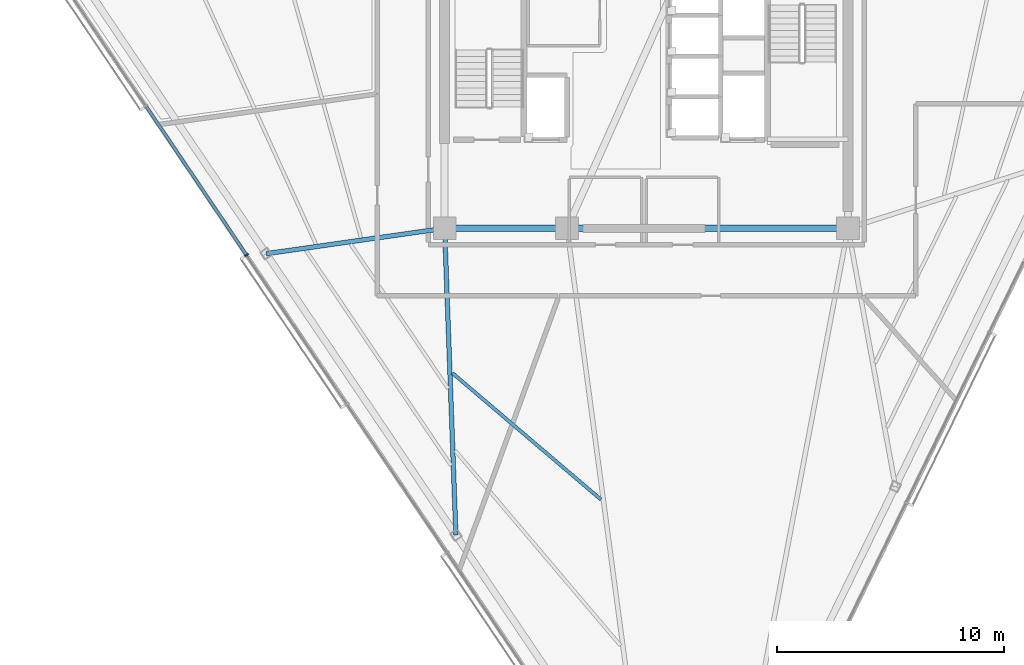
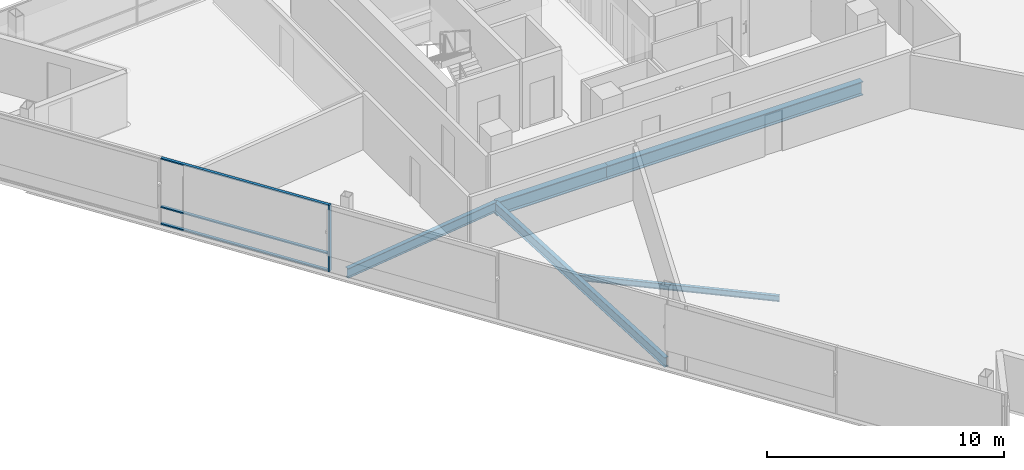
# One storey, part 3 of 16: 5 beams, 4 members, 1 element without a shape of its own.
"""IFC4 building model written with IfcOpenShell, lengths in metres."""

from ifc_helpers import new_model, si_unit, direction, frame, origin, origin_2d, place, context, subcontext, project, spatial, rectangle, i_section, extrude, material, layer, layer_set, material_profile, profile_set, type_object, element, aggregate, save


model = new_model("IFC4")

# Units and contexts
model_context = context("Model", 3, precision=1e-05, world=origin(), true_north=direction((0.0, 1.0)))
body_context = subcontext(model_context, "Body", "Model", "MODEL_VIEW")
ifc_project = project(units=[si_unit("LENGTHUNIT", "METRE"), si_unit("AREAUNIT", "SQUARE_METRE"), si_unit("VOLUMEUNIT", "CUBIC_METRE"), si_unit("PLANEANGLEUNIT", "RADIAN"), si_unit("MASSUNIT", "GRAM", prefix="KILO")], contexts=[model_context])

# Site, building, storey
site_placement = place(None, origin())
site = spatial("IfcSite", under=ifc_project, at=site_placement, CompositionType="ELEMENT")
building_placement = place(site_placement, origin())
building = spatial("IfcBuilding", under=site, at=building_placement, Name="Tharavind Bronze Gate", CompositionType="ELEMENT")
storey_placement = place(building_placement, frame((0.0, 0.0, 257.0)))
storey = spatial("IfcBuildingStorey", under=building, at=storey_placement, Name="L66", CompositionType="ELEMENT", Elevation=257.0)

# Curtain wall, members
ifc_material_1 = material(Name="Anodised Bronze Aluminium", Category="aluminium")
ifc_layer = layer(ifc_material_1, 0.219970703125)
ifc_layer_set = layer_set([ifc_layer], Name="Anodised Bronze Aluminium")
curtain_wall_type = type_object("IfcCurtainWallType", Name="UNITISED CURTAIN WALL UPPER OFFICE", PredefinedType="USERDEFINED", material=ifc_layer_set)
curtain_wall_placement = place(storey_placement, origin())
curtain_wall = element("IfcCurtainWall", 1, at=curtain_wall_placement, inside=storey, type_object=curtain_wall_type, Name="L66 unitised curtain wall upper office CW-L66-S1", ObjectType="UNITISED CURTAIN WALL", PredefinedType="USERDEFINED")
member_type_1 = type_object("IfcMemberType", Name="CURTAIN WALL BRONZE MULLION 65X180", PredefinedType="MULLION", material=ifc_material_1)
member_1_placement = place(storey_placement, frame((-17.639892578125, -8.7802734375, 0.0), z_axis=(0.0, 0.0, 1.0), x_axis=(0.559191456526, -0.82903854853, 0.0)))
member_1 = element("IfcMember", 2, at=member_1_placement, type_object=member_type_1, Name="CW-L66-S1 mullion 3", PredefinedType="MULLION", context=body_context, shape_type="SweptSolid", body=[
    extrude(rectangle(XDim=0.06494140625, YDim=0.179931640625, at=origin_2d()), origin(), (0.0, 0.0, 1.0), 3.419921875),
])
member_type_2 = type_object("IfcMemberType", Name="CURTAIN WALL BRONZE TRANSOM 65X140", PredefinedType="USERDEFINED", material=ifc_material_1)
member_2_placement = place(storey_placement, frame((-19.8544921875, -5.497314453125, 0.0), z_axis=(0.0, 0.0, 1.0), x_axis=(0.559191456526, -0.82903854853, 0.0)))
member_2 = element("IfcMember", 3, at=member_2_placement, type_object=member_type_2, Name="CW-L66-S1 transom TB2", ObjectType="TRANSOM", PredefinedType="USERDEFINED", context=body_context, shape_type="SweptSolid", body=[
    extrude(rectangle(XDim=7.8671875, YDim=0.139892578125, at=origin_2d()), origin(), (0.0, 0.0, 1.0), 0.06494140625),
])
member_3_placement = place(storey_placement, frame((-19.8544921875, -5.497314453125, 0.867431640625), z_axis=(0.0, 0.0, 1.0), x_axis=(0.559191456526, -0.82903854853, 0.0)))
member_3 = element("IfcMember", 4, at=member_3_placement, type_object=member_type_2, Name="CW-L66-S1 transom TS2", ObjectType="TRANSOM", PredefinedType="USERDEFINED", context=body_context, shape_type="SweptSolid", body=[
    extrude(rectangle(XDim=7.8671875, YDim=0.139892578125, at=origin_2d()), origin(), (0.0, 0.0, 1.0), 0.06494140625),
])
member_4_placement = place(storey_placement, frame((-19.8544921875, -5.497314453125, 3.35498046875), z_axis=(0.0, 0.0, 1.0), x_axis=(0.559191456526, -0.82903854853, 0.0)))
member_4 = element("IfcMember", 5, at=member_4_placement, type_object=member_type_2, Name="CW-L66-S1 transom TT2", ObjectType="TRANSOM", PredefinedType="USERDEFINED", context=body_context, shape_type="SweptSolid", body=[
    extrude(rectangle(XDim=7.8671875, YDim=0.139892578125, at=origin_2d()), origin(), (0.0, 0.0, 1.0), 0.06494140625),
])
aggregate(curtain_wall, [member_1, member_2, member_3, member_4])

# Beams
ifc_material_2 = material(Name="Steel S355", Category="steel")
ifc_material_profile_1 = material_profile(ifc_material_2, i_section(OverallWidth=0.199951171875, OverallDepth=0.5, WebThickness=0.01025390625, FlangeThickness=0.01611328125, at=origin_2d()), Name="IPE500")
ifc_profile_set_1 = profile_set([ifc_material_profile_1], Name="Steel S355")
beam_type_1 = type_object("IfcBeamType", Name="PRIMARY GIRDER IPE500", PredefinedType="USERDEFINED", material=ifc_profile_set_1)
beam_1_placement = place(storey_placement, frame((-16.776123046875, -8.719970703125, -0.429931640625), z_axis=(0.99004257138, 0.14076827361, 0.0), x_axis=(-0.14076827361, 0.99004257138, 0.0)))
element("IfcBeam", 6, at=beam_1_placement, inside=storey, type_object=beam_type_1, Name="L66 primary girder ipe500 BM-L66-RAD02", ObjectType="GIRDER", PredefinedType="USERDEFINED", context=body_context, shape_type="SweptSolid", body=[
    extrude(i_section(OverallWidth=0.199951171875, OverallDepth=0.5, WebThickness=0.01025390625, FlangeThickness=0.01611328125, at=origin_2d()), origin(), (0.0, 0.0, 1.0), 7.955322265625),
])
beam_2_placement = place(storey_placement, frame((-8.40234375, -21.134521484375, -0.429931640625), z_axis=(-0.036737634404, 0.99932494526, 0.0), x_axis=(-0.99932494526, -0.036737634404, 0.0)))
element("IfcBeam", 7, at=beam_2_placement, inside=storey, type_object=beam_type_1, Name="L66 primary girder ipe500 BM-L66-RAD03", ObjectType="GIRDER", PredefinedType="USERDEFINED", context=body_context, shape_type="SweptSolid", body=[
    extrude(i_section(OverallWidth=0.199951171875, OverallDepth=0.5, WebThickness=0.01025390625, FlangeThickness=0.01611328125, at=origin_2d()), origin(), (0.0, 0.0, 1.0), 13.54345703125),
])
ifc_material_profile_2 = material_profile(ifc_material_2, i_section(OverallWidth=0.300048828125, OverallDepth=0.699951171875, WebThickness=0.01708984375, FlangeThickness=0.031982421875, at=origin_2d()), Name="HE700B")
ifc_profile_set_2 = profile_set([ifc_material_profile_2], Name="Steel S355")
beam_type_2 = type_object("IfcBeamType", Name="RING GIRDER HE700B", PredefinedType="USERDEFINED", material=ifc_profile_set_2)
beam_3_placement = place(storey_placement, frame((-8.89990234375, -7.60009765625, -0.530029296875), z_axis=(1.0, 0.0, 0.0), x_axis=(0.0, 1.0, 0.0)))
element("IfcBeam", 8, at=beam_3_placement, inside=storey, type_object=beam_type_2, Name="L66 ring girder he700b BM-L66-CR1", ObjectType="GIRDER", PredefinedType="USERDEFINED", context=body_context, shape_type="SweptSolid", body=[
    extrude(i_section(OverallWidth=0.300048828125, OverallDepth=0.699951171875, WebThickness=0.01708984375, FlangeThickness=0.031982421875, at=origin_2d()), origin(), (0.0, 0.0, 1.0), 5.39990234375),
])
beam_4_placement = place(storey_placement, frame((-3.5, -7.60009765625, -0.530029296875), z_axis=(1.0, 0.0, 0.0), x_axis=(0.0, 1.0, 0.0)))
element("IfcBeam", 9, at=beam_4_placement, inside=storey, type_object=beam_type_2, Name="L66 ring girder he700b BM-L66-CR2", ObjectType="GIRDER", PredefinedType="USERDEFINED", context=body_context, shape_type="SweptSolid", body=[
    extrude(i_section(OverallWidth=0.300048828125, OverallDepth=0.699951171875, WebThickness=0.01708984375, FlangeThickness=0.031982421875, at=origin_2d()), origin(), (0.0, 0.0, 1.0), 12.39990234375),
])
ifc_material_profile_3 = material_profile(ifc_material_2, i_section(OverallWidth=0.14990234375, OverallDepth=0.300048828125, WebThickness=0.007080078125, FlangeThickness=0.0107421875, at=origin_2d()), Name="IPE300")
ifc_profile_set_3 = profile_set([ifc_material_profile_3], Name="Steel S355")
beam_type_3 = type_object("IfcBeamType", Name="SECONDARY FLOOR JOIST IPE300", PredefinedType="JOIST", material=ifc_profile_set_3)
beam_5_placement = place(storey_placement, frame((-8.562255859375, -13.98388671875, -0.330078125), z_axis=(0.761516768495, -0.648145208499, 0.0), x_axis=(0.648145208499, 0.761516768495, 0.0)))
element("IfcBeam", 10, at=beam_5_placement, inside=storey, type_object=beam_type_3, Name="L66 secondary floor joist ipe300 BM-L66-JSTA03", PredefinedType="JOIST", context=body_context, shape_type="SweptSolid", body=[
    extrude(i_section(OverallWidth=0.14990234375, OverallDepth=0.300048828125, WebThickness=0.007080078125, FlangeThickness=0.0107421875, at=origin_2d()), origin(), (0.0, 0.0, 1.0), 8.61376953125),
])

save(model, "model.ifc")
